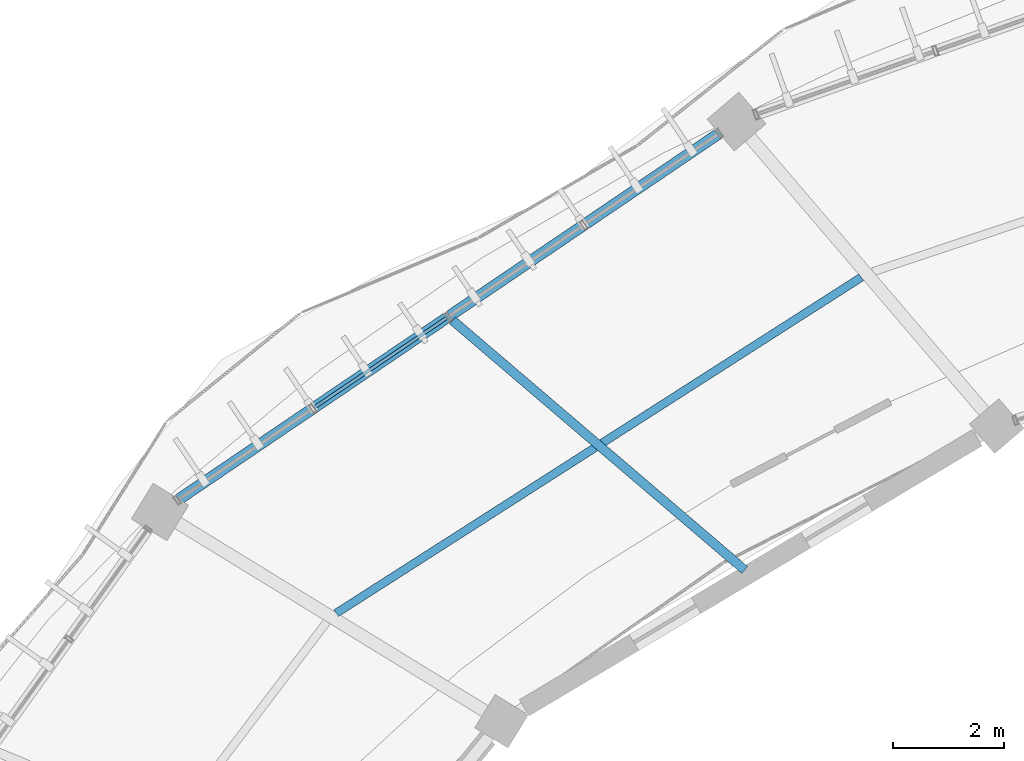
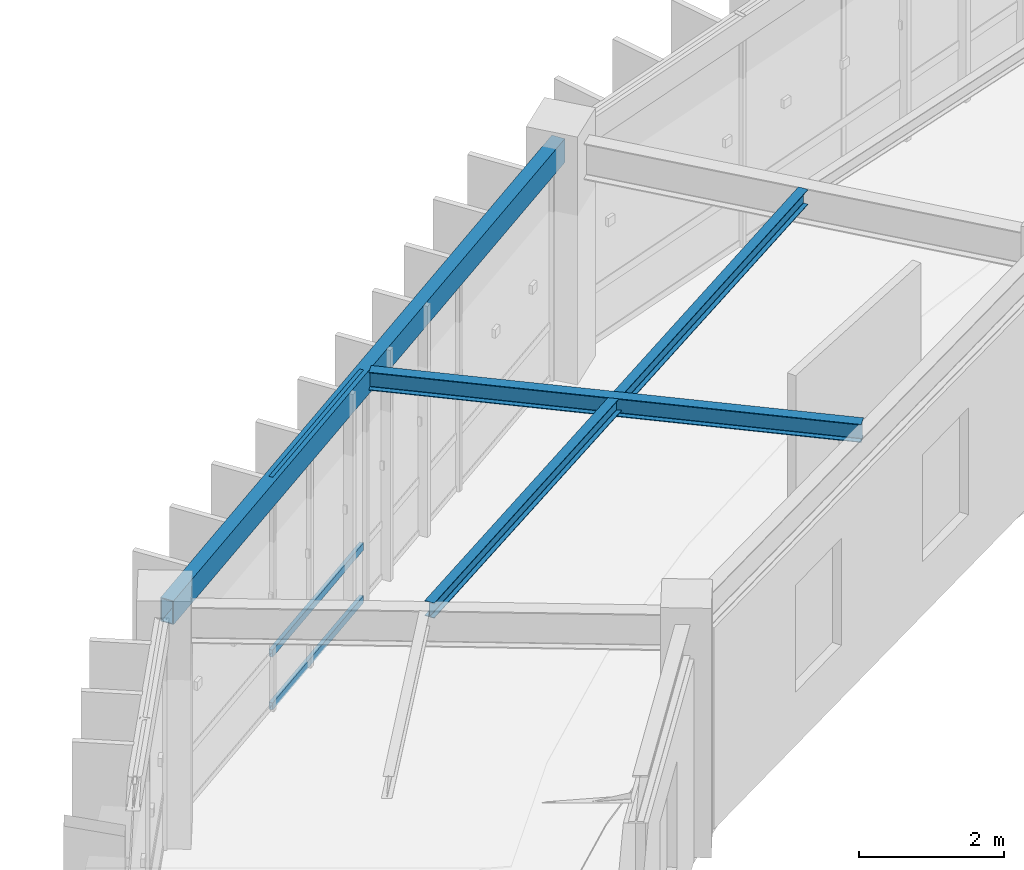
# One storey, part 57 of 152: 3 beams, 3 members, 1 element without a shape of its own.
"""IFC4 building model written with IfcOpenShell, lengths in metres."""

from ifc_helpers import new_model, si_unit, direction, frame, origin, origin_2d, place, context, subcontext, project, spatial, hollow_rectangle, i_section, extrude, material, material_profile, profile_set, type_object, element, aggregate, save


model = new_model("IFC4")

# Units and contexts
model_context = context("Model", 3, precision=1e-05, world=origin(), true_north=direction((0.0, 1.0)))
body_context = subcontext(model_context, "Body", "Model", "MODEL_VIEW")
ifc_project = project(units=[si_unit("LENGTHUNIT", "METRE"), si_unit("AREAUNIT", "SQUARE_METRE"), si_unit("VOLUMEUNIT", "CUBIC_METRE"), si_unit("PLANEANGLEUNIT", "RADIAN"), si_unit("MASSUNIT", "GRAM", prefix="KILO"), si_unit("THERMODYNAMICTEMPERATUREUNIT", "KELVIN"), si_unit("POWERUNIT", "WATT")], contexts=[model_context])

# Site, building, storey
site_placement = place(None, origin())
site = spatial("IfcSite", under=ifc_project, at=site_placement, CompositionType="ELEMENT")
building_placement = place(site_placement, origin())
building = spatial("IfcBuilding", under=site, at=building_placement, Name="Darbajah Civic Hall", CompositionType="ELEMENT")
storey_placement = place(building_placement, frame((0.0, 0.0, 5.39990234375)))
storey = spatial("IfcBuildingStorey", under=building, at=storey_placement, Name="L01", CompositionType="ELEMENT", Elevation=5.39990234375)

# Curtain wall, members
ifc_material_1 = material(Name="Anodised Bronze Aluminium and Low-E Glazing", Category="aluminium")
curtain_wall_type = type_object("IfcCurtainWallType", Name="Unitised Curtain Wall CW-26 11800x3900", PredefinedType="USERDEFINED", material=ifc_material_1)
curtain_wall_placement = place(storey_placement, origin())
curtain_wall = element("IfcCurtainWall", 1, at=curtain_wall_placement, inside=storey, type_object=curtain_wall_type, Name="L01 unitised curtain wall CW-V1O-L01-07", ObjectType="UNITISED CURTAIN WALL", PredefinedType="USERDEFINED")
ifc_material_2 = material(Name="Anodised Bronze Aluminium", Category="aluminium")
ifc_material_profile_1 = material_profile(ifc_material_2, hollow_rectangle(XDim=0.06005859375, YDim=0.1201171875, WallThickness=0.003173828125, at=origin_2d()), Name="ALU TRANSOM 60x120")
ifc_profile_set_1 = profile_set([ifc_material_profile_1], Name="Anodised Bronze Aluminium")
member_type = type_object("IfcMemberType", Name="ALU TRANSOM 60x120", PredefinedType="USERDEFINED", material=ifc_profile_set_1)
member_1_placement = place(storey_placement, frame((50.767822265625, 108.703125, 0.06005859375), z_axis=(-0.827984930933, -0.560750349218, 0.0), x_axis=(0.560750349218, -0.827984930933, 0.0)))
member_1 = element("IfcMember", 2, at=member_1_placement, type_object=member_type, Name="CW-V1O-L01-07 transom 3.1", ObjectType="TRANSOM", PredefinedType="USERDEFINED", context=body_context, shape_type="SweptSolid", body=[
    extrude(hollow_rectangle(XDim=0.06005859375, YDim=0.1201171875, WallThickness=0.003173828125, at=origin_2d()), origin(), (0.0, 0.0, 1.0), 2.870361328125),
])
member_2_placement = place(storey_placement, frame((50.767822265625, 108.703125, 0.9501953125), z_axis=(-0.827984930933, -0.560750349218, 0.0), x_axis=(0.560750349218, -0.827984930933, 0.0)))
member_2 = element("IfcMember", 3, at=member_2_placement, type_object=member_type, Name="CW-V1O-L01-07 transom 3.2", ObjectType="TRANSOM", PredefinedType="USERDEFINED", context=body_context, shape_type="SweptSolid", body=[
    extrude(hollow_rectangle(XDim=0.06005859375, YDim=0.1201171875, WallThickness=0.003173828125, at=origin_2d()), origin(), (0.0, 0.0, 1.0), 2.870361328125),
])
member_3_placement = place(storey_placement, frame((50.767822265625, 108.703125, 3.860107421875), z_axis=(-0.827984930933, -0.560750349218, 0.0), x_axis=(0.560750349218, -0.827984930933, 0.0)))
member_3 = element("IfcMember", 4, at=member_3_placement, type_object=member_type, Name="CW-V1O-L01-07 transom 3.3", ObjectType="TRANSOM", PredefinedType="USERDEFINED", context=body_context, shape_type="SweptSolid", body=[
    extrude(hollow_rectangle(XDim=0.06005859375, YDim=0.1201171875, WallThickness=0.003173828125, at=origin_2d()), origin(), (0.0, 0.0, 1.0), 2.870361328125),
])
aggregate(curtain_wall, [member_1, member_2, member_3])

# Beams
ifc_material_3 = material(Name="Steel S355JR", Category="steel")
ifc_material_profile_2 = material_profile(ifc_material_3, hollow_rectangle(XDim=0.199951171875, YDim=0.39990234375, WallThickness=0.013916015625, at=origin_2d()), Name="RHS 400x200x14")
ifc_profile_set_2 = profile_set([ifc_material_profile_2], Name="Steel S355JR")
beam_type_1 = type_object("IfcBeamType", Name="RHS 400x200x14", PredefinedType="SPANDREL", material=ifc_profile_set_2)
beam_1_placement = place(storey_placement, frame((55.911865234375, 112.18701171875, 3.72021484375), z_axis=(-0.827982022698, -0.560754643394, 0.0), x_axis=(0.560754643394, -0.827982022698, 0.0)))
element("IfcBeam", 5, at=beam_1_placement, inside=storey, type_object=beam_type_1, Name="L01 beam SP-RHS400", PredefinedType="SPANDREL", context=body_context, shape_type="SweptSolid", body=[
    extrude(hollow_rectangle(XDim=0.199951171875, YDim=0.39990234375, WallThickness=0.013916015625, at=origin_2d()), origin(), (0.0, 0.0, 1.0), 12.355712890625),
])
ifc_material_profile_3 = material_profile(ifc_material_3, i_section(OverallWidth=0.146484375, OverallDepth=0.256103515625, WebThickness=0.00634765625, FlangeThickness=0.010986328125, FilletRadius=0.007568359375, at=origin_2d()), Name="UB 254x146x37")
ifc_profile_set_3 = profile_set([ifc_material_profile_3], Name="Steel S355JR")
beam_type_2 = type_object("IfcBeamType", Name="UB 254x146x37", PredefinedType="JOIST", material=ifc_profile_set_3)
beam_2_placement = place(storey_placement, frame((58.218505859375, 109.431884765625, 3.7919921875), z_axis=(-0.842364011789, -0.538908964152, 0.0), x_axis=(0.538908964152, -0.842364011789, 0.0)))
element("IfcBeam", 6, at=beam_2_placement, inside=storey, type_object=beam_type_2, Name="L01 beam SJ-254", PredefinedType="JOIST", context=body_context, shape_type="SweptSolid", body=[
    extrude(i_section(OverallWidth=0.146484375, OverallDepth=0.256103515625, WebThickness=0.00634765625, FlangeThickness=0.010986328125, FilletRadius=0.007568359375, at=origin_2d()), origin(), (0.0, 0.0, 1.0), 11.20166015625),
])
ifc_material_profile_4 = material_profile(ifc_material_3, i_section(OverallWidth=0.165771484375, OverallDepth=0.306640625, WebThickness=0.006591796875, FlangeThickness=0.01171875, FilletRadius=0.0087890625, at=origin_2d()), Name="UB 305x165x46")
ifc_profile_set_4 = profile_set([ifc_material_profile_4], Name="Steel S355JR")
beam_type_3 = type_object("IfcBeamType", Name="UB 305x165x46", PredefinedType="JOIST", material=ifc_profile_set_4)
beam_3_placement = place(storey_placement, frame((56.123779296875, 104.173095703125, 3.766845703125), z_axis=(-0.760413700639, 0.649438991654, 0.0), x_axis=(-0.649438991654, -0.760413700639, 0.0)))
element("IfcBeam", 7, at=beam_3_placement, inside=storey, type_object=beam_type_3, Name="L01 beam SJ-305", PredefinedType="JOIST", context=body_context, shape_type="SweptSolid", body=[
    extrude(i_section(OverallWidth=0.165771484375, OverallDepth=0.306640625, WebThickness=0.006591796875, FlangeThickness=0.01171875, FilletRadius=0.0087890625, at=origin_2d()), origin(), (0.0, 0.0, 1.0), 6.903564453125),
])

save(model, "model.ifc")
